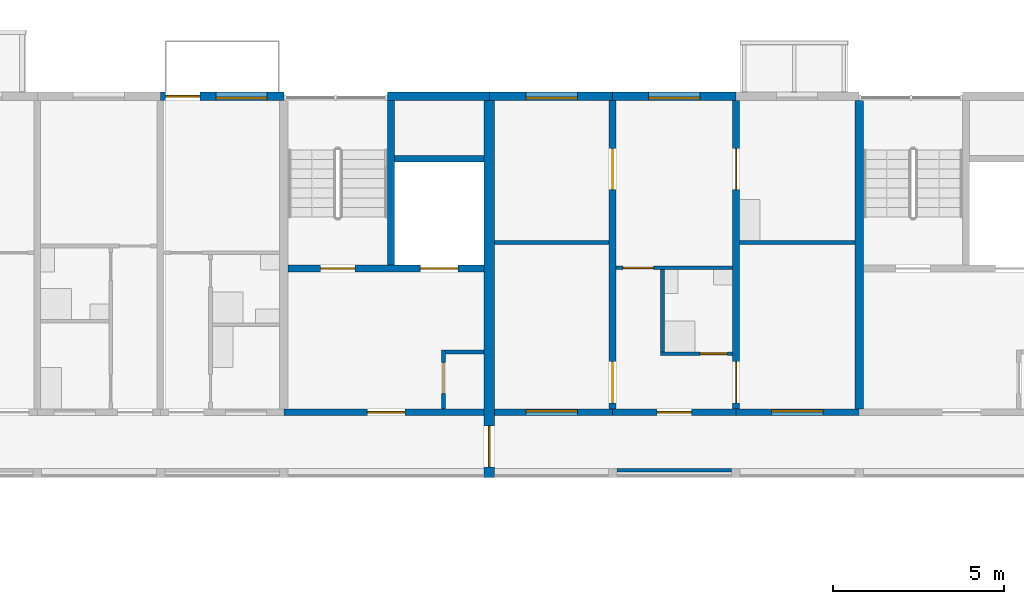
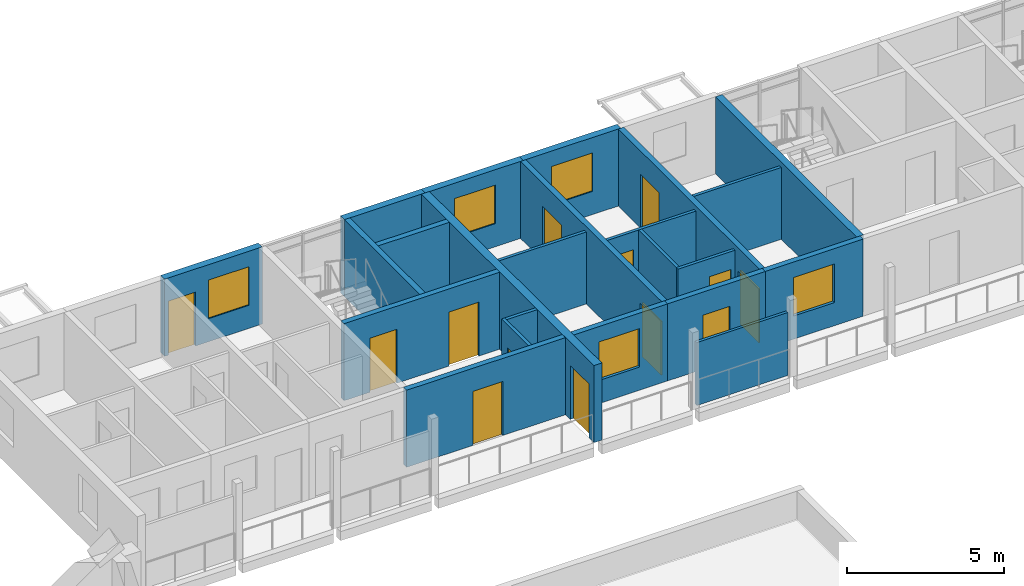
# One storey, part 67 of 115: 23 walls, 13 doors, 5 windows, 18 openings.
"""IFC4 building model written with IfcOpenShell, lengths in metres."""

from ifc_helpers import new_model, si_unit, direction, frame, frame_2d, origin, place, context, subcontext, project, spatial, rectangle, extrude, material, layer, layer_set, type_object, element, fill, save


model = new_model("IFC4")

# Units and contexts
model_context = context("Model", 3, precision=1e-05, world=origin(), true_north=direction((0.0, 1.0)))
body_context = subcontext(model_context, "Body", "Model", "MODEL_VIEW")
ifc_project = project(units=[si_unit("LENGTHUNIT", "METRE"), si_unit("AREAUNIT", "SQUARE_METRE"), si_unit("VOLUMEUNIT", "CUBIC_METRE"), si_unit("PLANEANGLEUNIT", "RADIAN"), si_unit("MASSUNIT", "GRAM", prefix="KILO")], contexts=[model_context])

# Site, building, storey
site_placement = place(None, origin())
site = spatial("IfcSite", under=ifc_project, at=site_placement, CompositionType="ELEMENT")
building_placement = place(site_placement, origin())
building = spatial("IfcBuilding", under=site, at=building_placement, Name="Ridgestep Commons", CompositionType="ELEMENT")
storey_placement = place(building_placement, frame((0.0, 0.0, 6.0)))
storey = spatial("IfcBuildingStorey", under=building, at=storey_placement, Name="L02", CompositionType="ELEMENT", Elevation=6.0)

# Wall
ifc_material_1 = material(Name="Concrete C30/37", Category="concrete")
ifc_layer_1 = layer(ifc_material_1, 0.25)
ifc_layer_set_1 = layer_set([ifc_layer_1], Name="Core cross wall 250")
wall_type_1 = type_object("IfcWallType", Name="Core cross wall 250", PredefinedType="SHEAR", material=ifc_layer_set_1)
wall_1_placement = place(storey_placement, frame((174.39990234375, 68.0, 0.0), z_axis=(0.0, 0.0, 1.0), x_axis=(0.0, 1.0, 0.0)))
element("IfcWall", 1, at=wall_1_placement, inside=storey, type_object=wall_type_1, Name="Cross wall C-02-1744", PredefinedType="SHEAR", context=body_context, shape_type="SweptSolid", body=[
    extrude(rectangle(XDim=9.0, YDim=0.25, at=frame_2d((4.5, 0.0))), origin(), (0.0, 0.0, 1.0), 3.0),
])

# Wall, opening, door
ifc_material_2 = material(Name="Concrete C30/37", Category="concrete")
ifc_layer_2 = layer(ifc_material_2, 0.199951171875)
ifc_layer_set_2 = layer_set([ifc_layer_2], Name="Core south wall 200")
wall_type_2 = type_object("IfcWallType", Name="Core south wall 200", PredefinedType="SHEAR", material=ifc_layer_set_2)
wall_2_placement = place(storey_placement, frame((157.60009765625, 67.89990234375, 0.0), z_axis=(0.0, 0.0, 1.0), x_axis=(1.0, 0.0, 0.0)))
wall_2 = element("IfcWall", 2, at=wall_2_placement, inside=storey, type_object=wall_type_2, Name="Core south wall C1C L02", PredefinedType="SHEAR", context=body_context, shape_type="SweptSolid", body=[
    extrude(rectangle(XDim=5.849853515625, YDim=0.199951171875, at=frame_2d((2.9248046875, 0.0))), origin(), (0.0, 0.0, 1.0), 3.0),
])
opening_1_placement = place(wall_2_placement, frame((2.4375, 0.0, 0.0)))
opening_1 = element("IfcOpeningElement", 3, at=opening_1_placement, cuts=wall_2, Name="Opening C1C/02/1", PredefinedType="OPENING", context=body_context, shape_type="SweptSolid", body=[
    extrude(rectangle(XDim=1.10009765625, YDim=2.10009765625, at=frame_2d((0.550048828125, 1.050048828125))), frame((0.0, 0.10986328125, 0.0), z_axis=(0.0, -1.0, 0.0), x_axis=(1.0, 0.0, 0.0)), (0.0, 0.0, 1.0), 0.219970703125),
])
ifc_material_3 = material(Name="Steel fire door", Category="steel")
door_type_1 = type_object("IfcDoorType", Name="Lobby door 1100 x 2100 FD60", OperationType="NOTDEFINED", PredefinedType="DOOR", material=ifc_material_3)
door_1_placement = place(opening_1_placement, origin())
door_1 = element("IfcDoor", 4, at=door_1_placement, inside=storey, type_object=door_type_1, Name="Lobby door C1C/02/1", OperationType="SINGLE_SWING_LEFT", OverallHeight=2.10009765625, OverallWidth=1.10009765625, PredefinedType="DOOR", context=body_context, shape_type="SweptSolid", body=[
    extrude(rectangle(XDim=1.10009765625, YDim=2.10009765625, at=frame_2d((0.550048828125, 1.050048828125))), frame((0.0, 0.02490234375, 0.0), z_axis=(0.0, -1.0, 0.0), x_axis=(1.0, 0.0, 0.0)), (0.0, 0.0, 1.0), 0.050048828125),
])
fill(opening_1, door_1)

ifc_material_4 = material(Name="Concrete C30/37", Category="concrete")
ifc_layer_3 = layer(ifc_material_4, 0.1201171875)
ifc_layer_set_3 = layer_set([ifc_layer_3], Name="Core wall 120")
wall_type_3 = type_object("IfcWallType", Name="Core wall 120", PredefinedType="SHEAR", material=ifc_layer_set_3)
wall_3_placement = place(storey_placement, frame((162.260009765625, 68.0, 0.0), z_axis=(0.0, 0.0, 1.0), x_axis=(0.0, 1.0, 0.0)))
wall_3 = element("IfcWall", 5, at=wall_3_placement, inside=storey, type_object=wall_type_3, Name="Core riser w wall C1C L02", PredefinedType="SHEAR", context=body_context, shape_type="SweptSolid", body=[
    extrude(rectangle(XDim=1.719970703125, YDim=0.1201171875, at=frame_2d((0.85986328125, 0.0))), origin(), (0.0, 0.0, 1.0), 3.0),
])
opening_2_placement = place(wall_3_placement, frame((0.449951171875, 0.0, 0.0)))
opening_2 = element("IfcOpeningElement", 6, at=opening_2_placement, cuts=wall_3, Name="Opening C1C/02/4", PredefinedType="OPENING", context=body_context, shape_type="SweptSolid", body=[
    extrude(rectangle(XDim=0.89990234375, YDim=2.10009765625, at=frame_2d((0.449951171875, 1.050048828125))), frame((0.0, 0.070068359375, 0.0), z_axis=(0.0, -1.0, 0.0), x_axis=(1.0, 0.0, 0.0)), (0.0, 0.0, 1.0), 0.14013671875),
])
ifc_material_5 = material(Name="Steel fire door", Category="steel")
door_type_2 = type_object("IfcDoorType", Name="Riser door 900 x 2100 FD60", OperationType="NOTDEFINED", PredefinedType="DOOR", material=ifc_material_5)
door_2_placement = place(opening_2_placement, origin())
door_2 = element("IfcDoor", 7, at=door_2_placement, inside=storey, type_object=door_type_2, Name="Riser door C1C/02/4", OperationType="SINGLE_SWING_LEFT", OverallHeight=2.10009765625, OverallWidth=0.89990234375, PredefinedType="DOOR", context=body_context, shape_type="SweptSolid", body=[
    extrude(rectangle(XDim=0.89990234375, YDim=2.10009765625, at=frame_2d((0.449951171875, 1.050048828125))), frame((0.0, 0.02490234375, 0.0), z_axis=(0.0, -1.0, 0.0), x_axis=(1.0, 0.0, 0.0)), (0.0, 0.0, 1.0), 0.050048828125),
])
fill(opening_2, door_2)

# Wall
wall_4_placement = place(storey_placement, frame((162.320068359375, 69.659912109375, 0.0), z_axis=(0.0, 0.0, 1.0), x_axis=(1.0, 0.0, 0.0)))
element("IfcWall", 8, at=wall_4_placement, inside=storey, type_object=wall_type_3, Name="Core riser n wall C1C L02", PredefinedType="SHEAR", context=body_context, shape_type="SweptSolid", body=[
    extrude(rectangle(XDim=1.1298828125, YDim=0.1201171875, at=frame_2d((0.56494140625, 0.0))), origin(), (0.0, 0.0, 1.0), 3.0),
])

# Wall, openings, doors
ifc_material_6 = material(Name="Concrete C30/37", Category="concrete")
ifc_layer_4 = layer(ifc_material_6, 0.199951171875)
ifc_layer_set_4 = layer_set([ifc_layer_4], Name="Core wall 200")
wall_type_4 = type_object("IfcWallType", Name="Core wall 200", PredefinedType="SHEAR", material=ifc_layer_set_4)
wall_5_placement = place(storey_placement, frame((157.72509765625, 72.10009765625, 0.0), z_axis=(0.0, 0.0, 1.0), x_axis=(1.0, 0.0, 0.0)))
wall_5 = element("IfcWall", 9, at=wall_5_placement, inside=storey, type_object=wall_type_4, Name="Core lobby wall C1C L02", PredefinedType="SHEAR", context=body_context, shape_type="SweptSolid", body=[
    extrude(rectangle(XDim=5.724853515625, YDim=0.199951171875, at=frame_2d((2.8623046875, 0.0))), origin(), (0.0, 0.0, 1.0), 3.0),
])
opening_3_placement = place(wall_5_placement, frame((0.949951171875, 0.0, 0.0)))
opening_3 = element("IfcOpeningElement", 10, at=opening_3_placement, cuts=wall_5, Name="Opening C1C/02/2", PredefinedType="OPENING", context=body_context, shape_type="SweptSolid", body=[
    extrude(rectangle(XDim=1.0, YDim=2.10009765625, at=frame_2d((0.5, 1.050048828125))), frame((0.0, 0.10986328125, 0.0), z_axis=(0.0, -1.0, 0.0), x_axis=(1.0, 0.0, 0.0)), (0.0, 0.0, 1.0), 0.219970703125),
])
opening_4_placement = place(wall_5_placement, frame((3.862548828125, 0.0, 0.0)))
opening_4 = element("IfcOpeningElement", 11, at=opening_4_placement, cuts=wall_5, Name="Opening C1C/02/3", PredefinedType="OPENING", context=body_context, shape_type="SweptSolid", body=[
    extrude(rectangle(XDim=1.10009765625, YDim=2.10009765625, at=frame_2d((0.550048828125, 1.050048828125))), frame((0.0, 0.10986328125, 0.0), z_axis=(0.0, -1.0, 0.0), x_axis=(1.0, 0.0, 0.0)), (0.0, 0.0, 1.0), 0.219970703125),
])
ifc_material_7 = material(Name="Stainless steel", Category="steel")
door_type_3 = type_object("IfcDoorType", Name="Lift landing door 1100 x 2100 FD60", OperationType="DOUBLE_DOOR_SLIDING", PredefinedType="DOOR", material=ifc_material_7)
door_3_placement = place(opening_4_placement, origin())
door_3 = element("IfcDoor", 12, at=door_3_placement, inside=storey, type_object=door_type_3, Name="Landing door LD C1C L02", OperationType="DOUBLE_DOOR_SLIDING", OverallHeight=2.10009765625, OverallWidth=1.10009765625, PredefinedType="DOOR", context=body_context, shape_type="SweptSolid", body=[
    extrude(rectangle(XDim=1.10009765625, YDim=2.10009765625, at=frame_2d((0.550048828125, 1.050048828125))), frame((0.0, 0.02490234375, 0.0), z_axis=(0.0, -1.0, 0.0), x_axis=(1.0, 0.0, 0.0)), (0.0, 0.0, 1.0), 0.050048828125),
])
fill(opening_4, door_3)
ifc_material_8 = material(Name="Steel fire door", Category="steel")
door_type_4 = type_object("IfcDoorType", Name="Stair door 1000 x 2100 FD60", OperationType="NOTDEFINED", PredefinedType="DOOR", material=ifc_material_8)
door_4_placement = place(opening_3_placement, origin())
door_4 = element("IfcDoor", 13, at=door_4_placement, inside=storey, type_object=door_type_4, Name="Stair door C1C/02/2", OperationType="SINGLE_SWING_RIGHT", OverallHeight=2.10009765625, OverallWidth=1.0, PredefinedType="DOOR", context=body_context, shape_type="SweptSolid", body=[
    extrude(rectangle(XDim=1.0, YDim=2.10009765625, at=frame_2d((0.5, 1.050048828125))), frame((0.0, 0.02490234375, 0.0), z_axis=(0.0, -1.0, 0.0), x_axis=(1.0, 0.0, 0.0)), (0.0, 0.0, 1.0), 0.050048828125),
])
fill(opening_3, door_4)

# Walls
wall_6_placement = place(storey_placement, frame((160.72509765625, 72.199951171875, 0.0), z_axis=(0.0, 0.0, 1.0), x_axis=(0.0, 1.0, 0.0)))
element("IfcWall", 14, at=wall_6_placement, inside=storey, type_object=wall_type_4, Name="Core stair wall C1C L02", PredefinedType="SHEAR", context=body_context, shape_type="SweptSolid", body=[
    extrude(rectangle(XDim=4.800048828125, YDim=0.199951171875, at=frame_2d((2.39990234375, 0.0))), origin(), (0.0, 0.0, 1.0), 3.0),
])
wall_7_placement = place(storey_placement, frame((160.824951171875, 75.300048828125, 0.0), z_axis=(0.0, 0.0, 1.0), x_axis=(1.0, 0.0, 0.0)))
element("IfcWall", 15, at=wall_7_placement, inside=storey, type_object=wall_type_4, Name="Core duct wall C1C L02", PredefinedType="SHEAR", context=body_context, shape_type="SweptSolid", body=[
    extrude(rectangle(XDim=2.625, YDim=0.199951171875, at=frame_2d((1.3125, 0.0))), origin(), (0.0, 0.0, 1.0), 3.0),
])

# Wall, openings, doors
ifc_material_9 = material(Name="Precast concrete C40/50", Category="concrete")
ifc_layer_5 = layer(ifc_material_9, 0.199951171875)
ifc_layer_set_5 = layer_set([ifc_layer_5], Name="Cross wall 200")
wall_type_5 = type_object("IfcWallType", Name="Cross wall 200", PredefinedType="SHEAR", material=ifc_layer_set_5)
wall_8_placement = place(storey_placement, frame((167.199951171875, 68.0, 0.0), z_axis=(0.0, 0.0, 1.0), x_axis=(0.0, 1.0, 0.0)))
wall_8 = element("IfcWall", 16, at=wall_8_placement, inside=storey, type_object=wall_type_5, Name="Cross wall C-02-1672", PredefinedType="SHEAR", context=body_context, shape_type="SweptSolid", body=[
    extrude(rectangle(XDim=9.0, YDim=0.199951171875, at=frame_2d((4.5, 0.0))), origin(), (0.0, 0.0, 1.0), 3.0),
])
opening_5_placement = place(wall_8_placement, frame((0.175048828125, 0.0, 0.0)))
opening_5 = element("IfcOpeningElement", 17, at=opening_5_placement, cuts=wall_8, Name="Opening C2-02a/4", PredefinedType="OPENING", context=body_context, shape_type="SweptSolid", body=[
    extrude(rectangle(XDim=1.199951171875, YDim=2.10009765625, at=frame_2d((0.60009765625, 1.050048828125))), frame((0.0, 0.10986328125, 0.0), z_axis=(0.0, -1.0, 0.0), x_axis=(1.0, 0.0, 0.0)), (0.0, 0.0, 1.0), 0.219970703125),
])
opening_6_placement = place(wall_8_placement, frame((6.39990234375, 0.0, 0.0)))
opening_6 = element("IfcOpeningElement", 18, at=opening_6_placement, cuts=wall_8, Name="Opening C2-02a/5", PredefinedType="OPENING", context=body_context, shape_type="SweptSolid", body=[
    extrude(rectangle(XDim=1.199951171875, YDim=2.10009765625, at=frame_2d((0.60009765625, 1.050048828125))), frame((0.0, 0.10986328125, 0.0), z_axis=(0.0, -1.0, 0.0), x_axis=(1.0, 0.0, 0.0)), (0.0, 0.0, 1.0), 0.219970703125),
])
ifc_material_10 = material(Name="Timber door leaf", Category="wood")
door_type_5 = type_object("IfcDoorType", Name="Double door 1200 x 2100", OperationType="DOUBLE_DOOR_SINGLE_SWING", PredefinedType="DOOR", material=ifc_material_10)
door_5_placement = place(opening_5_placement, origin())
door_5 = element("IfcDoor", 19, at=door_5_placement, inside=storey, type_object=door_type_5, Name="Double door C2-02a/4", OperationType="DOUBLE_DOOR_SINGLE_SWING", OverallHeight=2.10009765625, OverallWidth=1.199951171875, PredefinedType="DOOR", context=body_context, shape_type="SweptSolid", body=[
    extrude(rectangle(XDim=1.199951171875, YDim=2.10009765625, at=frame_2d((0.60009765625, 1.050048828125))), frame((0.0, 0.02490234375, 0.0), z_axis=(0.0, -1.0, 0.0), x_axis=(1.0, 0.0, 0.0)), (0.0, 0.0, 1.0), 0.050048828125),
])
fill(opening_5, door_5)
door_6_placement = place(opening_6_placement, origin())
door_6 = element("IfcDoor", 20, at=door_6_placement, inside=storey, type_object=door_type_5, Name="Double door C2-02a/5", OperationType="DOUBLE_DOOR_SINGLE_SWING", OverallHeight=2.10009765625, OverallWidth=1.199951171875, PredefinedType="DOOR", context=body_context, shape_type="SweptSolid", body=[
    extrude(rectangle(XDim=1.199951171875, YDim=2.10009765625, at=frame_2d((0.60009765625, 1.050048828125))), frame((0.0, 0.02490234375, 0.0), z_axis=(0.0, -1.0, 0.0), x_axis=(1.0, 0.0, 0.0)), (0.0, 0.0, 1.0), 0.050048828125),
])
fill(opening_6, door_6)

wall_9_placement = place(storey_placement, frame((170.800048828125, 68.0, 0.0), z_axis=(0.0, 0.0, 1.0), x_axis=(0.0, 1.0, 0.0)))
wall_9 = element("IfcWall", 21, at=wall_9_placement, inside=storey, type_object=wall_type_5, Name="Cross wall C-02-1708", PredefinedType="SHEAR", context=body_context, shape_type="SweptSolid", body=[
    extrude(rectangle(XDim=9.0, YDim=0.199951171875, at=frame_2d((4.5, 0.0))), origin(), (0.0, 0.0, 1.0), 3.0),
])
opening_7_placement = place(wall_9_placement, frame((0.175048828125, 0.0, 0.0)))
opening_7 = element("IfcOpeningElement", 22, at=opening_7_placement, cuts=wall_9, Name="Opening C2-02a/6", PredefinedType="OPENING", context=body_context, shape_type="SweptSolid", body=[
    extrude(rectangle(XDim=1.199951171875, YDim=2.10009765625, at=frame_2d((0.60009765625, 1.050048828125))), frame((0.0, 0.10986328125, 0.0), z_axis=(0.0, -1.0, 0.0), x_axis=(1.0, 0.0, 0.0)), (0.0, 0.0, 1.0), 0.219970703125),
])
opening_8_placement = place(wall_9_placement, frame((6.39990234375, 0.0, 0.0)))
opening_8 = element("IfcOpeningElement", 23, at=opening_8_placement, cuts=wall_9, Name="Opening C2-02a/7", PredefinedType="OPENING", context=body_context, shape_type="SweptSolid", body=[
    extrude(rectangle(XDim=1.199951171875, YDim=2.10009765625, at=frame_2d((0.60009765625, 1.050048828125))), frame((0.0, 0.10986328125, 0.0), z_axis=(0.0, -1.0, 0.0), x_axis=(1.0, 0.0, 0.0)), (0.0, 0.0, 1.0), 0.219970703125),
])
door_7_placement = place(opening_7_placement, origin())
door_7 = element("IfcDoor", 24, at=door_7_placement, inside=storey, type_object=door_type_5, Name="Double door C2-02a/6", OperationType="DOUBLE_DOOR_SINGLE_SWING", OverallHeight=2.10009765625, OverallWidth=1.199951171875, PredefinedType="DOOR", context=body_context, shape_type="SweptSolid", body=[
    extrude(rectangle(XDim=1.199951171875, YDim=2.10009765625, at=frame_2d((0.60009765625, 1.050048828125))), frame((0.0, 0.02490234375, 0.0), z_axis=(0.0, -1.0, 0.0), x_axis=(1.0, 0.0, 0.0)), (0.0, 0.0, 1.0), 0.050048828125),
])
fill(opening_7, door_7)
door_8_placement = place(opening_8_placement, origin())
door_8 = element("IfcDoor", 25, at=door_8_placement, inside=storey, type_object=door_type_5, Name="Double door C2-02a/7", OperationType="DOUBLE_DOOR_SINGLE_SWING", OverallHeight=2.10009765625, OverallWidth=1.199951171875, PredefinedType="DOOR", context=body_context, shape_type="SweptSolid", body=[
    extrude(rectangle(XDim=1.199951171875, YDim=2.10009765625, at=frame_2d((0.60009765625, 1.050048828125))), frame((0.0, 0.02490234375, 0.0), z_axis=(0.0, -1.0, 0.0), x_axis=(1.0, 0.0, 0.0)), (0.0, 0.0, 1.0), 0.050048828125),
])
fill(opening_8, door_8)

# Wall, opening, door
ifc_material_11 = material(Name="Precast concrete C40/50", Category="concrete")
ifc_layer_6 = layer(ifc_material_11, 0.300048828125)
ifc_layer_set_6 = layer_set([ifc_layer_6], Name="Division wall 300")
wall_type_6 = type_object("IfcWallType", Name="Division wall 300", PredefinedType="SHEAR", material=ifc_layer_set_6)
wall_10_placement = place(storey_placement, frame((163.60009765625, 66.0, 0.0), z_axis=(0.0, 0.0, 1.0), x_axis=(0.0, 1.0, 0.0)))
wall_10 = element("IfcWall", 26, at=wall_10_placement, inside=storey, type_object=wall_type_6, Name="Cross wall C-02-1636", PredefinedType="SHEAR", context=body_context, shape_type="SweptSolid", body=[
    extrude(rectangle(XDim=11.0, YDim=0.300048828125, at=frame_2d((5.5, 0.0))), origin(), (0.0, 0.0, 1.0), 3.0),
])
opening_9_placement = place(wall_10_placement, frame((0.300048828125, 0.0, 0.0)))
opening_9 = element("IfcOpeningElement", 27, at=opening_9_placement, cuts=wall_10, Name="Opening C/02/G1636", PredefinedType="OPENING", context=body_context, shape_type="SweptSolid", body=[
    extrude(rectangle(XDim=1.199951171875, YDim=2.10009765625, at=frame_2d((0.60009765625, 1.050048828125))), frame((0.0, 0.159912109375, 0.0), z_axis=(0.0, -1.0, 0.0), x_axis=(1.0, 0.0, 0.0)), (0.0, 0.0, 1.0), 0.320068359375),
])
ifc_material_12 = material(Name="Steel fire door", Category="steel")
door_type_6 = type_object("IfcDoorType", Name="Division fire door 1200 x 2100 EI 240", OperationType="DOUBLE_DOOR_SINGLE_SWING", PredefinedType="DOOR", material=ifc_material_12)
door_9_placement = place(opening_9_placement, origin())
door_9 = element("IfcDoor", 28, at=door_9_placement, inside=storey, type_object=door_type_6, Name="Division fire door C/02/G1636", OperationType="DOUBLE_DOOR_SINGLE_SWING", OverallHeight=2.10009765625, OverallWidth=1.199951171875, PredefinedType="DOOR", context=body_context, shape_type="SweptSolid", body=[
    extrude(rectangle(XDim=1.199951171875, YDim=2.10009765625, at=frame_2d((0.60009765625, 1.050048828125))), frame((0.0, 0.02490234375, 0.0), z_axis=(0.0, -1.0, 0.0), x_axis=(1.0, 0.0, 0.0)), (0.0, 0.0, 1.0), 0.050048828125),
])
fill(opening_9, door_9)

# Wall, openings, door, window
ifc_material_13 = material(Name="Precast concrete C40/50", Category="concrete")
ifc_layer_7 = layer(ifc_material_13, 0.25)
ifc_layer_set_7 = layer_set([ifc_layer_7], Name="North facade panel 250")
wall_type_7 = type_object("IfcWallType", Name="North facade panel 250", PredefinedType="SOLIDWALL", material=ifc_layer_set_7)
wall_11_placement = place(storey_placement, frame((154.0, 77.125, 0.0), z_axis=(0.0, 0.0, 1.0), x_axis=(1.0, 0.0, 0.0)))
wall_11 = element("IfcWall", 29, at=wall_11_placement, inside=storey, type_object=wall_type_7, Name="North panel C1T3 L02", PredefinedType="SOLIDWALL", context=body_context, shape_type="SweptSolid", body=[
    extrude(rectangle(XDim=3.60009765625, YDim=0.25, at=frame_2d((1.800048828125, 0.0))), origin(), (0.0, 0.0, 1.0), 3.0),
])
opening_10_placement = place(wall_11_placement, frame((1.612548828125, 0.0, 0.89990234375)))
opening_10 = element("IfcOpeningElement", 30, at=opening_10_placement, cuts=wall_11, Name="Opening W16", PredefinedType="OPENING", context=body_context, shape_type="SweptSolid", body=[
    extrude(rectangle(XDim=1.5, YDim=1.5, at=frame_2d((0.75, 0.75))), frame((0.0, 0.135009765625, 0.0), z_axis=(0.0, -1.0, 0.0), x_axis=(1.0, 0.0, 0.0)), (0.0, 0.0, 1.0), 0.27001953125),
])
opening_11_placement = place(wall_11_placement, frame((0.14990234375, 0.0, 0.0)))
opening_11 = element("IfcOpeningElement", 31, at=opening_11_placement, cuts=wall_11, Name="Opening C1-02c/5", PredefinedType="OPENING", context=body_context, shape_type="SweptSolid", body=[
    extrude(rectangle(XDim=1.0, YDim=2.10009765625, at=frame_2d((0.5, 1.050048828125))), frame((0.0, 0.135009765625, 0.0), z_axis=(0.0, -1.0, 0.0), x_axis=(1.0, 0.0, 0.0)), (0.0, 0.0, 1.0), 0.27001953125),
])
ifc_material_14 = material(Name="Aluminium and glass", Category="aluminium")
door_type_7 = type_object("IfcDoorType", Name="Balcony door 1000 x 2100", OperationType="NOTDEFINED", PredefinedType="DOOR", material=ifc_material_14)
door_10_placement = place(opening_11_placement, origin())
door_10 = element("IfcDoor", 32, at=door_10_placement, inside=storey, type_object=door_type_7, Name="Balcony door C1-02c/5", OperationType="SINGLE_SWING_RIGHT", OverallHeight=2.10009765625, OverallWidth=1.0, PredefinedType="DOOR", context=body_context, shape_type="SweptSolid", body=[
    extrude(rectangle(XDim=1.0, YDim=2.10009765625, at=frame_2d((0.5, 1.050048828125))), frame((0.0, 0.02490234375, 0.0), z_axis=(0.0, -1.0, 0.0), x_axis=(1.0, 0.0, 0.0)), (0.0, 0.0, 1.0), 0.050048828125),
])
fill(opening_11, door_10)
ifc_material_15 = material(Name="Aluminium 6063-T6 and glass", Category="aluminium")
window_type = type_object("IfcWindowType", Name="Flat window 1500 x 1500", PartitioningType="DOUBLE_PANEL_VERTICAL", PredefinedType="WINDOW", material=ifc_material_15)
window_1_placement = place(opening_10_placement, origin())
window_1 = element("IfcWindow", 33, at=window_1_placement, inside=storey, type_object=window_type, Name="Window C1-02c 2", OverallHeight=1.5, OverallWidth=1.5, PartitioningType="SINGLE_PANEL", PredefinedType="WINDOW", context=body_context, shape_type="SweptSolid", body=[
    extrude(rectangle(XDim=1.5, YDim=1.5, at=frame_2d((0.75, 0.75))), frame((0.0, -0.02490234375, 0.0), z_axis=(0.0, -1.0, 0.0), x_axis=(1.0, 0.0, 0.0)), (0.0, 0.0, 1.0), 0.06005859375),
])
fill(opening_10, window_1)

# Wall
wall_12_placement = place(storey_placement, frame((160.625, 77.125, 0.0), z_axis=(0.0, 0.0, 1.0), x_axis=(1.0, 0.0, 0.0)))
element("IfcWall", 34, at=wall_12_placement, inside=storey, type_object=wall_type_7, Name="North panel C1C L02", PredefinedType="SOLIDWALL", context=body_context, shape_type="SweptSolid", body=[
    extrude(rectangle(XDim=2.97509765625, YDim=0.25, at=frame_2d((1.487548828125, 0.0))), origin(), (0.0, 0.0, 1.0), 3.0),
])

# Wall, opening, window
wall_13_placement = place(storey_placement, frame((163.60009765625, 77.125, 0.0), z_axis=(0.0, 0.0, 1.0), x_axis=(1.0, 0.0, 0.0)))
wall_13 = element("IfcWall", 35, at=wall_13_placement, inside=storey, type_object=wall_type_7, Name="North panel C2T1 L02", PredefinedType="SOLIDWALL", context=body_context, shape_type="SweptSolid", body=[
    extrude(rectangle(XDim=3.599853515625, YDim=0.25, at=frame_2d((1.7998046875, 0.0))), origin(), (0.0, 0.0, 1.0), 3.0),
])
opening_12_placement = place(wall_13_placement, frame((1.074951171875, 0.0, 0.89990234375)))
opening_12 = element("IfcOpeningElement", 36, at=opening_12_placement, cuts=wall_13, Name="Opening W16", PredefinedType="OPENING", context=body_context, shape_type="SweptSolid", body=[
    extrude(rectangle(XDim=1.5, YDim=1.5, at=frame_2d((0.75, 0.75))), frame((0.0, 0.135009765625, 0.0), z_axis=(0.0, -1.0, 0.0), x_axis=(1.0, 0.0, 0.0)), (0.0, 0.0, 1.0), 0.27001953125),
])
window_2_placement = place(opening_12_placement, origin())
window_2 = element("IfcWindow", 37, at=window_2_placement, inside=storey, type_object=window_type, Name="Window C2-02a 2", OverallHeight=1.5, OverallWidth=1.5, PartitioningType="SINGLE_PANEL", PredefinedType="WINDOW", context=body_context, shape_type="SweptSolid", body=[
    extrude(rectangle(XDim=1.5, YDim=1.5, at=frame_2d((0.75, 0.75))), frame((0.0, -0.02490234375, 0.0), z_axis=(0.0, -1.0, 0.0), x_axis=(1.0, 0.0, 0.0)), (0.0, 0.0, 1.0), 0.06005859375),
])
fill(opening_12, window_2)

wall_14_placement = place(storey_placement, frame((167.199951171875, 77.125, 0.0), z_axis=(0.0, 0.0, 1.0), x_axis=(1.0, 0.0, 0.0)))
wall_14 = element("IfcWall", 38, at=wall_14_placement, inside=storey, type_object=wall_type_7, Name="North panel C2T2 L02", PredefinedType="SOLIDWALL", context=body_context, shape_type="SweptSolid", body=[
    extrude(rectangle(XDim=3.60009765625, YDim=0.25, at=frame_2d((1.800048828125, 0.0))), origin(), (0.0, 0.0, 1.0), 3.0),
])
opening_13_placement = place(wall_14_placement, frame((1.050048828125, 0.0, 0.89990234375)))
opening_13 = element("IfcOpeningElement", 39, at=opening_13_placement, cuts=wall_14, Name="Opening W16", PredefinedType="OPENING", context=body_context, shape_type="SweptSolid", body=[
    extrude(rectangle(XDim=1.5, YDim=1.5, at=frame_2d((0.75, 0.75))), frame((0.0, 0.135009765625, 0.0), z_axis=(0.0, -1.0, 0.0), x_axis=(1.0, 0.0, 0.0)), (0.0, 0.0, 1.0), 0.27001953125),
])
window_3_placement = place(opening_13_placement, origin())
window_3 = element("IfcWindow", 40, at=window_3_placement, inside=storey, type_object=window_type, Name="Window C2-02a 5", OverallHeight=1.5, OverallWidth=1.5, PartitioningType="SINGLE_PANEL", PredefinedType="WINDOW", context=body_context, shape_type="SweptSolid", body=[
    extrude(rectangle(XDim=1.5, YDim=1.5, at=frame_2d((0.75, 0.75))), frame((0.0, -0.02490234375, 0.0), z_axis=(0.0, -1.0, 0.0), x_axis=(1.0, 0.0, 0.0)), (0.0, 0.0, 1.0), 0.06005859375),
])
fill(opening_13, window_3)

# Wall, opening, door
ifc_material_16 = material(Name="Common brick 110 mm", Category="masonry")
ifc_layer_8 = layer(ifc_material_16, 0.110107421875)
ifc_layer_set_8 = layer_set([ifc_layer_8], Name="Partition 110")
wall_type_8 = type_object("IfcWallType", Name="Partition 110", PredefinedType="PARTITIONING", material=ifc_layer_set_8)
wall_15_placement = place(storey_placement, frame((168.60009765625, 69.60498046875, 0.0), z_axis=(0.0, 0.0, 1.0), x_axis=(1.0, 0.0, 0.0)))
wall_15 = element("IfcWall", 41, at=wall_15_placement, inside=storey, type_object=wall_type_8, Name="Partition C2-02a", PredefinedType="PARTITIONING", context=body_context, shape_type="SweptSolid", body=[
    extrude(rectangle(XDim=2.099853515625, YDim=0.110107421875, at=frame_2d((1.0498046875, 0.0))), origin(), (0.0, 0.0, 1.0), 2.800048828125),
])
opening_14_placement = place(wall_15_placement, frame((1.14990234375, 0.0, 0.0)))
opening_14 = element("IfcOpeningElement", 42, at=opening_14_placement, cuts=wall_15, Name="Opening C2-02a/2", PredefinedType="OPENING", context=body_context, shape_type="SweptSolid", body=[
    extrude(rectangle(XDim=0.800048828125, YDim=2.10009765625, at=frame_2d((0.39990234375, 1.050048828125))), frame((0.0, 0.06494140625, 0.0), z_axis=(0.0, -1.0, 0.0), x_axis=(1.0, 0.0, 0.0)), (0.0, 0.0, 1.0), 0.130126953125),
])
ifc_material_17 = material(Name="Timber door leaf", Category="wood")
door_type_8 = type_object("IfcDoorType", Name="Internal door 800 x 2100", OperationType="NOTDEFINED", PredefinedType="DOOR", material=ifc_material_17)
door_11_placement = place(opening_14_placement, origin())
door_11 = element("IfcDoor", 43, at=door_11_placement, inside=storey, type_object=door_type_8, Name="Internal door C2-02a/2", OperationType="SINGLE_SWING_RIGHT", OverallHeight=2.10009765625, OverallWidth=0.800048828125, PredefinedType="DOOR", context=body_context, shape_type="SweptSolid", body=[
    extrude(rectangle(XDim=0.800048828125, YDim=2.10009765625, at=frame_2d((0.39990234375, 1.050048828125))), frame((0.0, 0.02490234375, 0.0), z_axis=(0.0, -1.0, 0.0), x_axis=(1.0, 0.0, 0.0)), (0.0, 0.0, 1.0), 0.050048828125),
])
fill(opening_14, door_11)

# Wall
wall_16_placement = place(storey_placement, frame((168.655029296875, 69.659912109375, 0.0), z_axis=(0.0, 0.0, 1.0), x_axis=(0.0, 1.0, 0.0)))
element("IfcWall", 44, at=wall_16_placement, inside=storey, type_object=wall_type_8, Name="Partition C2-02a", PredefinedType="PARTITIONING", context=body_context, shape_type="SweptSolid", body=[
    extrude(rectangle(XDim=2.400146484375, YDim=0.110107421875, at=frame_2d((1.2001953125, 0.0))), origin(), (0.0, 0.0, 1.0), 2.800048828125),
])

# Wall, opening, door
wall_17_placement = place(storey_placement, frame((167.300048828125, 72.114990234375, 0.0), z_axis=(0.0, 0.0, 1.0), x_axis=(1.0, 0.0, 0.0)))
wall_17 = element("IfcWall", 45, at=wall_17_placement, inside=storey, type_object=wall_type_8, Name="Partition C2-02a", PredefinedType="PARTITIONING", context=body_context, shape_type="SweptSolid", body=[
    extrude(rectangle(XDim=3.39990234375, YDim=0.110107421875, at=frame_2d((1.699951171875, 0.0))), origin(), (0.0, 0.0, 1.0), 2.800048828125),
])
opening_15_placement = place(wall_17_placement, frame((0.199951171875, 0.0, 0.0)))
opening_15 = element("IfcOpeningElement", 46, at=opening_15_placement, cuts=wall_17, Name="Opening C2-02a/3", PredefinedType="OPENING", context=body_context, shape_type="SweptSolid", body=[
    extrude(rectangle(XDim=0.89990234375, YDim=2.10009765625, at=frame_2d((0.449951171875, 1.050048828125))), frame((0.0, 0.06494140625, 0.0), z_axis=(0.0, -1.0, 0.0), x_axis=(1.0, 0.0, 0.0)), (0.0, 0.0, 1.0), 0.130126953125),
])
ifc_material_18 = material(Name="Timber door leaf", Category="wood")
door_type_9 = type_object("IfcDoorType", Name="Internal door 900 x 2100", OperationType="NOTDEFINED", PredefinedType="DOOR", material=ifc_material_18)
door_12_placement = place(opening_15_placement, origin())
door_12 = element("IfcDoor", 47, at=door_12_placement, inside=storey, type_object=door_type_9, Name="Internal door C2-02a/3", OperationType="SINGLE_SWING_LEFT", OverallHeight=2.10009765625, OverallWidth=0.89990234375, PredefinedType="DOOR", context=body_context, shape_type="SweptSolid", body=[
    extrude(rectangle(XDim=0.89990234375, YDim=2.10009765625, at=frame_2d((0.449951171875, 1.050048828125))), frame((0.0, 0.02490234375, 0.0), z_axis=(0.0, -1.0, 0.0), x_axis=(1.0, 0.0, 0.0)), (0.0, 0.0, 1.0), 0.050048828125),
])
fill(opening_15, door_12)

# Walls
wall_18_placement = place(storey_placement, frame((163.75, 72.85498046875, 0.0), z_axis=(0.0, 0.0, 1.0), x_axis=(1.0, 0.0, 0.0)))
element("IfcWall", 48, at=wall_18_placement, inside=storey, type_object=wall_type_8, Name="Partition C2-02a", PredefinedType="PARTITIONING", context=body_context, shape_type="SweptSolid", body=[
    extrude(rectangle(XDim=3.35009765625, YDim=0.110107421875, at=frame_2d((1.675048828125, 0.0))), origin(), (0.0, 0.0, 1.0), 2.800048828125),
])
wall_19_placement = place(storey_placement, frame((170.89990234375, 72.85498046875, 0.0), z_axis=(0.0, 0.0, 1.0), x_axis=(1.0, 0.0, 0.0)))
element("IfcWall", 49, at=wall_19_placement, inside=storey, type_object=wall_type_8, Name="Partition C2-02a", PredefinedType="PARTITIONING", context=body_context, shape_type="SweptSolid", body=[
    extrude(rectangle(XDim=3.375, YDim=0.110107421875, at=frame_2d((1.6875, 0.0))), origin(), (0.0, 0.0, 1.0), 2.800048828125),
])
ifc_material_19 = material(Name="Precast concrete C30/37", Category="concrete")
ifc_layer_9 = layer(ifc_material_19, 0.10009765625)
ifc_layer_set_9 = layer_set([ifc_layer_9], Name="Perforated gallery screen 3350 x 2450 x 100")
wall_type_9 = type_object("IfcWallType", Name="Perforated gallery screen 3350 x 2450 x 100", PredefinedType="SOLIDWALL", material=ifc_layer_set_9)
wall_20_placement = place(storey_placement, frame((167.324951171875, 66.199951171875, 0.0), z_axis=(0.0, 0.0, 1.0), x_axis=(1.0, 0.0, 0.0)))
element("IfcWall", 50, at=wall_20_placement, inside=storey, type_object=wall_type_9, Name="Gallery screen C2T2 02", PredefinedType="SOLIDWALL", context=body_context, shape_type="SweptSolid", body=[
    extrude(rectangle(XDim=3.35009765625, YDim=0.10009765625, at=frame_2d((1.675048828125, 0.0))), origin(), (0.0, 0.0, 1.0), 2.449951171875),
])

# Wall, opening, window
ifc_material_20 = material(Name="Precast concrete C40/50", Category="concrete")
ifc_layer_10 = layer(ifc_material_20, 0.199951171875)
ifc_layer_set_10 = layer_set([ifc_layer_10], Name="South facade panel 200")
wall_type_10 = type_object("IfcWallType", Name="South facade panel 200", PredefinedType="SOLIDWALL", material=ifc_layer_set_10)
wall_21_placement = place(storey_placement, frame((163.75, 67.89990234375, 0.0), z_axis=(0.0, 0.0, 1.0), x_axis=(1.0, 0.0, 0.0)))
wall_21 = element("IfcWall", 51, at=wall_21_placement, inside=storey, type_object=wall_type_10, Name="South panel C2T1 L02", PredefinedType="SOLIDWALL", context=body_context, shape_type="SweptSolid", body=[
    extrude(rectangle(XDim=3.449951171875, YDim=0.199951171875, at=frame_2d((1.72509765625, 0.0))), origin(), (0.0, 0.0, 1.0), 3.0),
])
opening_16_placement = place(wall_21_placement, frame((0.925048828125, 0.0, 0.89990234375)))
opening_16 = element("IfcOpeningElement", 52, at=opening_16_placement, cuts=wall_21, Name="Opening W16", PredefinedType="OPENING", context=body_context, shape_type="SweptSolid", body=[
    extrude(rectangle(XDim=1.5, YDim=1.5, at=frame_2d((0.75, 0.75))), frame((0.0, 0.10986328125, 0.0), z_axis=(0.0, -1.0, 0.0), x_axis=(1.0, 0.0, 0.0)), (0.0, 0.0, 1.0), 0.219970703125),
])
window_4_placement = place(opening_16_placement, origin())
window_4 = element("IfcWindow", 53, at=window_4_placement, inside=storey, type_object=window_type, Name="Window C2-02a 1", OverallHeight=1.5, OverallWidth=1.5, PartitioningType="SINGLE_PANEL", PredefinedType="WINDOW", context=body_context, shape_type="SweptSolid", body=[
    extrude(rectangle(XDim=1.5, YDim=1.5, at=frame_2d((0.75, 0.75))), frame((0.0, 0.06005859375, 0.0), z_axis=(0.0, -1.0, 0.0), x_axis=(1.0, 0.0, 0.0)), (0.0, 0.0, 1.0), 0.06005859375),
])
fill(opening_16, window_4)

# Wall, opening, door
wall_22_placement = place(storey_placement, frame((167.199951171875, 67.89990234375, 0.0), z_axis=(0.0, 0.0, 1.0), x_axis=(1.0, 0.0, 0.0)))
wall_22 = element("IfcWall", 54, at=wall_22_placement, inside=storey, type_object=wall_type_10, Name="South panel C2T2 L02", PredefinedType="SOLIDWALL", context=body_context, shape_type="SweptSolid", body=[
    extrude(rectangle(XDim=3.60009765625, YDim=0.199951171875, at=frame_2d((1.800048828125, 0.0))), origin(), (0.0, 0.0, 1.0), 3.0),
])
opening_17_placement = place(wall_22_placement, frame((1.300048828125, 0.0, 0.0)))
opening_17 = element("IfcOpeningElement", 55, at=opening_17_placement, cuts=wall_22, Name="Opening C2-02a/1", PredefinedType="OPENING", context=body_context, shape_type="SweptSolid", body=[
    extrude(rectangle(XDim=1.0, YDim=2.10009765625, at=frame_2d((0.5, 1.050048828125))), frame((0.0, 0.10986328125, 0.0), z_axis=(0.0, -1.0, 0.0), x_axis=(1.0, 0.0, 0.0)), (0.0, 0.0, 1.0), 0.219970703125),
])
ifc_material_21 = material(Name="Timber door leaf", Category="wood")
door_type_10 = type_object("IfcDoorType", Name="Flat entrance door 1000 x 2100 FD30S", OperationType="NOTDEFINED", PredefinedType="DOOR", material=ifc_material_21)
door_13_placement = place(opening_17_placement, origin())
door_13 = element("IfcDoor", 56, at=door_13_placement, inside=storey, type_object=door_type_10, Name="Flat entrance door C2-02a/1", OperationType="SINGLE_SWING_LEFT", OverallHeight=2.10009765625, OverallWidth=1.0, PredefinedType="DOOR", context=body_context, shape_type="SweptSolid", body=[
    extrude(rectangle(XDim=1.0, YDim=2.10009765625, at=frame_2d((0.5, 1.050048828125))), frame((0.0, 0.02490234375, 0.0), z_axis=(0.0, -1.0, 0.0), x_axis=(1.0, 0.0, 0.0)), (0.0, 0.0, 1.0), 0.050048828125),
])
fill(opening_17, door_13)

# Wall, opening, window
wall_23_placement = place(storey_placement, frame((170.800048828125, 67.89990234375, 0.0), z_axis=(0.0, 0.0, 1.0), x_axis=(1.0, 0.0, 0.0)))
wall_23 = element("IfcWall", 57, at=wall_23_placement, inside=storey, type_object=wall_type_10, Name="South panel C2T3 L02", PredefinedType="SOLIDWALL", context=body_context, shape_type="SweptSolid", body=[
    extrude(rectangle(XDim=3.599853515625, YDim=0.199951171875, at=frame_2d((1.7998046875, 0.0))), origin(), (0.0, 0.0, 1.0), 3.0),
])
opening_18_placement = place(wall_23_placement, frame((1.03759765625, 0.0, 0.89990234375)))
opening_18 = element("IfcOpeningElement", 58, at=opening_18_placement, cuts=wall_23, Name="Opening W16", PredefinedType="OPENING", context=body_context, shape_type="SweptSolid", body=[
    extrude(rectangle(XDim=1.5, YDim=1.5, at=frame_2d((0.75, 0.75))), frame((0.0, 0.10986328125, 0.0), z_axis=(0.0, -1.0, 0.0), x_axis=(1.0, 0.0, 0.0)), (0.0, 0.0, 1.0), 0.219970703125),
])
window_5_placement = place(opening_18_placement, origin())
window_5 = element("IfcWindow", 59, at=window_5_placement, inside=storey, type_object=window_type, Name="Window C2-02a 3", OverallHeight=1.5, OverallWidth=1.5, PartitioningType="SINGLE_PANEL", PredefinedType="WINDOW", context=body_context, shape_type="SweptSolid", body=[
    extrude(rectangle(XDim=1.5, YDim=1.5, at=frame_2d((0.75, 0.75))), frame((0.0, 0.06005859375, 0.0), z_axis=(0.0, -1.0, 0.0), x_axis=(1.0, 0.0, 0.0)), (0.0, 0.0, 1.0), 0.06005859375),
])
fill(opening_18, window_5)

save(model, "model.ifc")
